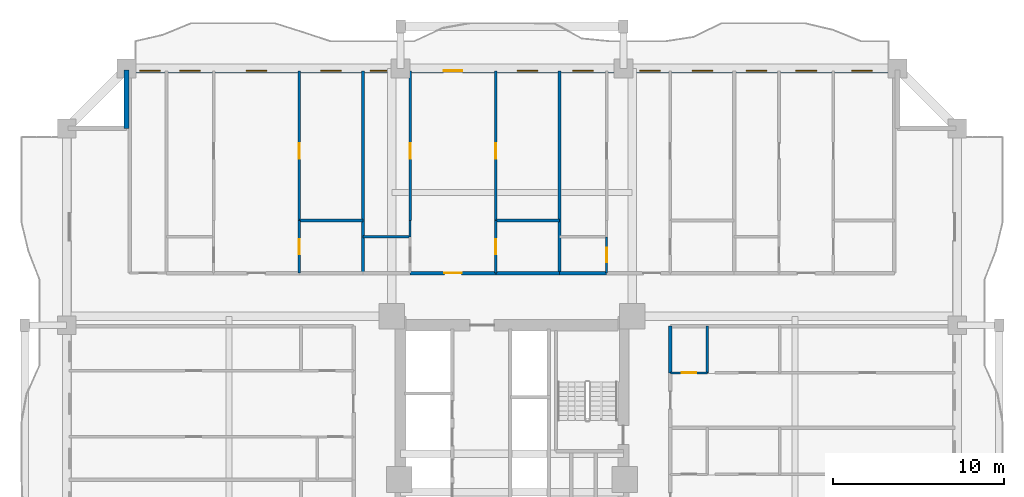
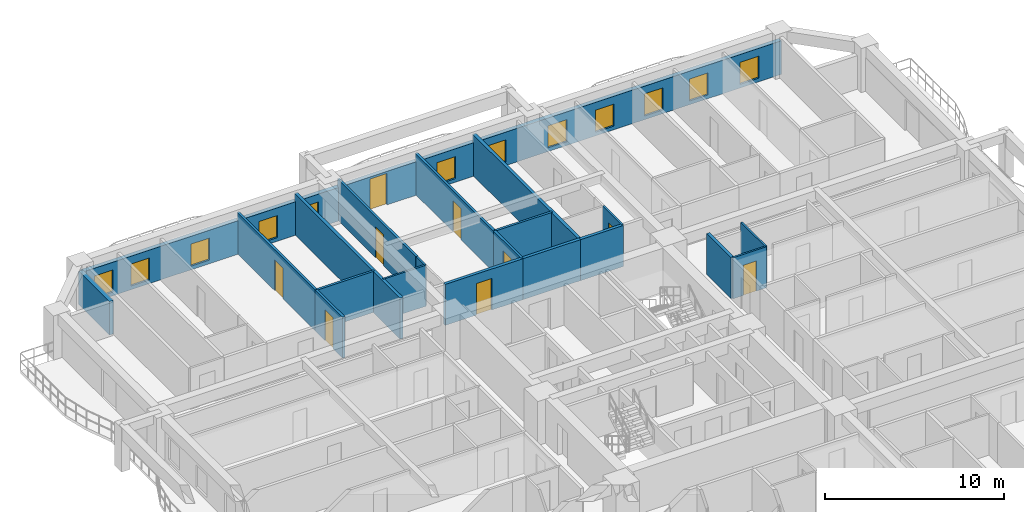
# One storey, part 7 of 16: 20 walls, 12 windows, 9 doors, 21 openings.
"""IFC4 building model written with IfcOpenShell, lengths in metres."""

from ifc_helpers import new_model, si_unit, direction, frame, frame_2d, origin, place, context, subcontext, project, spatial, rectangle, extrude, source, transform, mapped, material, layer, layer_set, type_object, element, fill, save


model = new_model("IFC4")

# Units and contexts
model_context = context("Model", 3, precision=1e-05, world=origin(), true_north=direction((0.0, 1.0)))
body_context = subcontext(model_context, "Body", "Model", "MODEL_VIEW")
ifc_project = project(units=[si_unit("LENGTHUNIT", "METRE"), si_unit("AREAUNIT", "SQUARE_METRE"), si_unit("VOLUMEUNIT", "CUBIC_METRE"), si_unit("PLANEANGLEUNIT", "RADIAN"), si_unit("MASSUNIT", "GRAM", prefix="KILO")], contexts=[model_context])

# Site, building, storey
site_placement = place(None, origin())
site = spatial("IfcSite", under=ifc_project, at=site_placement, CompositionType="ELEMENT")
building_placement = place(site_placement, origin())
building = spatial("IfcBuilding", under=site, at=building_placement, Name="Saelheon Loggia Tower", CompositionType="ELEMENT")
storey_placement = place(building_placement, frame((0.0, 0.0, 37.39990234375)))
storey = spatial("IfcBuildingStorey", under=building, at=storey_placement, Name="L11", CompositionType="ELEMENT", Elevation=37.39990234375)

# Wall, openings, windows, door
ifc_material_1 = material(Name="Architectural Precast Concrete C40/50", Category="concrete")
ifc_layer_1 = layer(ifc_material_1, 0.280029296875)
ifc_layer_set_1 = layer_set([ifc_layer_1], Name="Architectural Precast Concrete C40/50")
wall_type_1 = type_object("IfcWallType", Name="Wall_Ext_Loggia_280", PredefinedType="SOLIDWALL", material=ifc_layer_set_1)
wall_1_placement = place(storey_placement, frame((15.5, 50.860107421875, 0.0), z_axis=(0.0, 0.0, 1.0), x_axis=(1.0, 0.0, 0.0)))
wall_1 = element("IfcWall", 1, at=wall_1_placement, inside=storey, type_object=wall_type_1, Name="L11 North Loggia Inner Wall", PredefinedType="SOLIDWALL", context=body_context, shape_type="SweptSolid", body=[
    extrude(rectangle(XDim=45.0, YDim=0.280029296875, at=frame_2d((22.5, 0.0))), origin(), (0.0, 0.0, 1.0), 2.280029296875),
])
opening_1_placement = place(wall_1_placement, frame((0.760009765625, 0.0, 0.25)))
opening_1 = element("IfcOpeningElement", 2, at=opening_1_placement, cuts=wall_1, Name="Opening WN-03", PredefinedType="OPENING", context=body_context, shape_type="SweptSolid", body=[
    extrude(rectangle(XDim=1.199951171875, YDim=1.5, at=frame_2d((0.60009765625, 0.75))), frame((0.0, 0.152099609375, 0.0), z_axis=(0.0, -1.0, 0.0), x_axis=(1.0, 0.0, 0.0)), (0.0, 0.0, 1.0), 0.303955078125),
])
opening_2_placement = place(wall_1_placement, frame((3.10498046875, 0.0, 0.25)))
opening_2 = element("IfcOpeningElement", 3, at=opening_2_placement, cuts=wall_1, Name="Opening WN-03", PredefinedType="OPENING", context=body_context, shape_type="SweptSolid", body=[
    extrude(rectangle(XDim=1.199951171875, YDim=1.5, at=frame_2d((0.60009765625, 0.75))), frame((0.0, 0.152099609375, 0.0), z_axis=(0.0, -1.0, 0.0), x_axis=(1.0, 0.0, 0.0)), (0.0, 0.0, 1.0), 0.303955078125),
])
opening_3_placement = place(wall_1_placement, frame((6.979736328125, 0.0, 0.25)))
opening_3 = element("IfcOpeningElement", 4, at=opening_3_placement, cuts=wall_1, Name="Opening WN-03", PredefinedType="OPENING", context=body_context, shape_type="SweptSolid", body=[
    extrude(rectangle(XDim=1.199951171875, YDim=1.5, at=frame_2d((0.60009765625, 0.75))), frame((0.0, 0.152099609375, 0.0), z_axis=(0.0, -1.0, 0.0), x_axis=(1.0, 0.0, 0.0)), (0.0, 0.0, 1.0), 0.303955078125),
])
opening_4_placement = place(wall_1_placement, frame((11.3408203125, 0.0, 0.25)))
opening_4 = element("IfcOpeningElement", 5, at=opening_4_placement, cuts=wall_1, Name="Opening WN-03", PredefinedType="OPENING", context=body_context, shape_type="SweptSolid", body=[
    extrude(rectangle(XDim=1.199951171875, YDim=1.5, at=frame_2d((0.60009765625, 0.75))), frame((0.0, 0.152099609375, 0.0), z_axis=(0.0, -1.0, 0.0), x_axis=(1.0, 0.0, 0.0)), (0.0, 0.0, 1.0), 0.303955078125),
])
opening_5_placement = place(wall_1_placement, frame((14.231201171875, 0.0, 0.25)))
opening_5 = element("IfcOpeningElement", 6, at=opening_5_placement, cuts=wall_1, Name="Opening WN-04", PredefinedType="OPENING", context=body_context, shape_type="SweptSolid", body=[
    extrude(rectangle(XDim=0.949951171875, YDim=1.5, at=frame_2d((0.47509765625, 0.75))), frame((0.0, 0.152099609375, 0.0), z_axis=(0.0, -1.0, 0.0), x_axis=(1.0, 0.0, 0.0)), (0.0, 0.0, 1.0), 0.303955078125),
])
opening_6_placement = place(wall_1_placement, frame((18.502197265625, 0.0, 0.0)))
opening_6 = element("IfcOpeningElement", 7, at=opening_6_placement, cuts=wall_1, Name="Opening TD1", PredefinedType="OPENING", context=body_context, shape_type="SweptSolid", body=[
    extrude(rectangle(XDim=1.10009765625, YDim=2.14990234375, at=frame_2d((0.550048828125, 1.074951171875))), frame((0.0, 0.152099609375, 0.0), z_axis=(0.0, -1.0, 0.0), x_axis=(1.0, 0.0, 0.0)), (0.0, 0.0, 1.0), 0.303955078125),
])
opening_7_placement = place(wall_1_placement, frame((22.813232421875, 0.0, 0.25)))
opening_7 = element("IfcOpeningElement", 8, at=opening_7_placement, cuts=wall_1, Name="Opening WN-03", PredefinedType="OPENING", context=body_context, shape_type="SweptSolid", body=[
    extrude(rectangle(XDim=1.199951171875, YDim=1.5, at=frame_2d((0.60009765625, 0.75))), frame((0.0, 0.152099609375, 0.0), z_axis=(0.0, -1.0, 0.0), x_axis=(1.0, 0.0, 0.0)), (0.0, 0.0, 1.0), 0.303955078125),
])
opening_8_placement = place(wall_1_placement, frame((26.049560546875, 0.0, 0.25)))
opening_8 = element("IfcOpeningElement", 9, at=opening_8_placement, cuts=wall_1, Name="Opening WN-03", PredefinedType="OPENING", context=body_context, shape_type="SweptSolid", body=[
    extrude(rectangle(XDim=1.199951171875, YDim=1.5, at=frame_2d((0.60009765625, 0.75))), frame((0.0, 0.152099609375, 0.0), z_axis=(0.0, -1.0, 0.0), x_axis=(1.0, 0.0, 0.0)), (0.0, 0.0, 1.0), 0.303955078125),
])
opening_9_placement = place(wall_1_placement, frame((29.9697265625, 0.0, 0.25)))
opening_9 = element("IfcOpeningElement", 10, at=opening_9_placement, cuts=wall_1, Name="Opening WN-03", PredefinedType="OPENING", context=body_context, shape_type="SweptSolid", body=[
    extrude(rectangle(XDim=1.199951171875, YDim=1.5, at=frame_2d((0.60009765625, 0.75))), frame((0.0, 0.152099609375, 0.0), z_axis=(0.0, -1.0, 0.0), x_axis=(1.0, 0.0, 0.0)), (0.0, 0.0, 1.0), 0.303955078125),
])
opening_10_placement = place(wall_1_placement, frame((33.0107421875, 0.0, 0.25)))
opening_10 = element("IfcOpeningElement", 11, at=opening_10_placement, cuts=wall_1, Name="Opening WN-03", PredefinedType="OPENING", context=body_context, shape_type="SweptSolid", body=[
    extrude(rectangle(XDim=1.199951171875, YDim=1.5, at=frame_2d((0.60009765625, 0.75))), frame((0.0, 0.152099609375, 0.0), z_axis=(0.0, -1.0, 0.0), x_axis=(1.0, 0.0, 0.0)), (0.0, 0.0, 1.0), 0.303955078125),
])
opening_11_placement = place(wall_1_placement, frame((36.180908203125, 0.0, 0.25)))
opening_11 = element("IfcOpeningElement", 12, at=opening_11_placement, cuts=wall_1, Name="Opening WN-03", PredefinedType="OPENING", context=body_context, shape_type="SweptSolid", body=[
    extrude(rectangle(XDim=1.199951171875, YDim=1.5, at=frame_2d((0.60009765625, 0.75))), frame((0.0, 0.152099609375, 0.0), z_axis=(0.0, -1.0, 0.0), x_axis=(1.0, 0.0, 0.0)), (0.0, 0.0, 1.0), 0.303955078125),
])
opening_12_placement = place(wall_1_placement, frame((39.07861328125, 0.0, 0.25)))
opening_12 = element("IfcOpeningElement", 13, at=opening_12_placement, cuts=wall_1, Name="Opening WN-03", PredefinedType="OPENING", context=body_context, shape_type="SweptSolid", body=[
    extrude(rectangle(XDim=1.199951171875, YDim=1.5, at=frame_2d((0.60009765625, 0.75))), frame((0.0, 0.152099609375, 0.0), z_axis=(0.0, -1.0, 0.0), x_axis=(1.0, 0.0, 0.0)), (0.0, 0.0, 1.0), 0.303955078125),
])
opening_13_placement = place(wall_1_placement, frame((42.3388671875, 0.0, 0.25)))
opening_13 = element("IfcOpeningElement", 14, at=opening_13_placement, cuts=wall_1, Name="Opening WN-03", PredefinedType="OPENING", context=body_context, shape_type="SweptSolid", body=[
    extrude(rectangle(XDim=1.199951171875, YDim=1.5, at=frame_2d((0.60009765625, 0.75))), frame((0.0, 0.152099609375, 0.0), z_axis=(0.0, -1.0, 0.0), x_axis=(1.0, 0.0, 0.0)), (0.0, 0.0, 1.0), 0.303955078125),
])
ifc_material_2 = material(Name="Thermal-Break Aluminium and Triple Low-E Glass", Category="aluminium")
window_type_1 = type_object("IfcWindowType", Name="Win_Bedroom_1200x1500", PartitioningType="SINGLE_PANEL", PredefinedType="WINDOW", material=ifc_material_2)
shared_shape_1 = source(origin(), body_context, "Body", "SweptSolid", [
    extrude(rectangle(XDim=1.199951171875, YDim=1.5, at=frame_2d((0.60009765625, 0.75))), frame((0.0, 0.030029296875, 0.0), z_axis=(0.0, -1.0, 0.0), x_axis=(1.0, 0.0, 0.0)), (0.0, 0.0, 1.0), 0.06005859375),
])
window_1_placement = place(opening_1_placement, origin())
window_1 = element("IfcWindow", 15, at=window_1_placement, inside=storey, type_object=window_type_1, Name="L11 N Dwelling Window 1", OverallHeight=1.5, OverallWidth=1.199951171875, PartitioningType="SINGLE_PANEL", PredefinedType="WINDOW", context=body_context, shape_type="MappedRepresentation", body=[
    mapped(shared_shape_1, transform((0.0, 0.0, 0.0), scale=1.0)),
])
fill(opening_1, window_1)
window_2_placement = place(opening_2_placement, origin())
window_2 = element("IfcWindow", 16, at=window_2_placement, inside=storey, type_object=window_type_1, Name="L11 N Dwelling Window 2", OverallHeight=1.5, OverallWidth=1.199951171875, PartitioningType="SINGLE_PANEL", PredefinedType="WINDOW", context=body_context, shape_type="MappedRepresentation", body=[
    mapped(shared_shape_1, transform((0.0, 0.0, 0.0), scale=1.0)),
])
fill(opening_2, window_2)
window_3_placement = place(opening_3_placement, origin())
window_3 = element("IfcWindow", 17, at=window_3_placement, inside=storey, type_object=window_type_1, Name="L11 N Dwelling Window 3", OverallHeight=1.5, OverallWidth=1.199951171875, PartitioningType="SINGLE_PANEL", PredefinedType="WINDOW", context=body_context, shape_type="MappedRepresentation", body=[
    mapped(shared_shape_1, transform((0.0, 0.0, 0.0), scale=1.0)),
])
fill(opening_3, window_3)
window_4_placement = place(opening_4_placement, origin())
window_4 = element("IfcWindow", 18, at=window_4_placement, inside=storey, type_object=window_type_1, Name="L11 N Dwelling Window 4", OverallHeight=1.5, OverallWidth=1.199951171875, PartitioningType="SINGLE_PANEL", PredefinedType="WINDOW", context=body_context, shape_type="MappedRepresentation", body=[
    mapped(shared_shape_1, transform((0.0, 0.0, 0.0), scale=1.0)),
])
fill(opening_4, window_4)
window_5_placement = place(opening_7_placement, origin())
window_5 = element("IfcWindow", 19, at=window_5_placement, inside=storey, type_object=window_type_1, Name="L11 N Dwelling Window 7", OverallHeight=1.5, OverallWidth=1.199951171875, PartitioningType="SINGLE_PANEL", PredefinedType="WINDOW", context=body_context, shape_type="MappedRepresentation", body=[
    mapped(shared_shape_1, transform((0.0, 0.0, 0.0), scale=1.0)),
])
fill(opening_7, window_5)
window_6_placement = place(opening_8_placement, origin())
window_6 = element("IfcWindow", 20, at=window_6_placement, inside=storey, type_object=window_type_1, Name="L11 N Dwelling Window 8", OverallHeight=1.5, OverallWidth=1.199951171875, PartitioningType="SINGLE_PANEL", PredefinedType="WINDOW", context=body_context, shape_type="MappedRepresentation", body=[
    mapped(shared_shape_1, transform((0.0, 0.0, 0.0), scale=1.0)),
])
fill(opening_8, window_6)
window_7_placement = place(opening_9_placement, origin())
window_7 = element("IfcWindow", 21, at=window_7_placement, inside=storey, type_object=window_type_1, Name="L11 N Dwelling Window 9", OverallHeight=1.5, OverallWidth=1.199951171875, PartitioningType="SINGLE_PANEL", PredefinedType="WINDOW", context=body_context, shape_type="MappedRepresentation", body=[
    mapped(shared_shape_1, transform((0.0, 0.0, 0.0), scale=1.0)),
])
fill(opening_9, window_7)
window_8_placement = place(opening_10_placement, origin())
window_8 = element("IfcWindow", 22, at=window_8_placement, inside=storey, type_object=window_type_1, Name="L11 N Dwelling Window 10", OverallHeight=1.5, OverallWidth=1.199951171875, PartitioningType="SINGLE_PANEL", PredefinedType="WINDOW", context=body_context, shape_type="MappedRepresentation", body=[
    mapped(shared_shape_1, transform((0.0, 0.0, 0.0), scale=1.0)),
])
fill(opening_10, window_8)
window_9_placement = place(opening_11_placement, origin())
window_9 = element("IfcWindow", 23, at=window_9_placement, inside=storey, type_object=window_type_1, Name="L11 N Dwelling Window 11", OverallHeight=1.5, OverallWidth=1.199951171875, PartitioningType="SINGLE_PANEL", PredefinedType="WINDOW", context=body_context, shape_type="MappedRepresentation", body=[
    mapped(shared_shape_1, transform((0.0, 0.0, 0.0), scale=1.0)),
])
fill(opening_11, window_9)
window_10_placement = place(opening_12_placement, origin())
window_10 = element("IfcWindow", 24, at=window_10_placement, inside=storey, type_object=window_type_1, Name="L11 N Dwelling Window 12", OverallHeight=1.5, OverallWidth=1.199951171875, PartitioningType="SINGLE_PANEL", PredefinedType="WINDOW", context=body_context, shape_type="MappedRepresentation", body=[
    mapped(shared_shape_1, transform((0.0, 0.0, 0.0), scale=1.0)),
])
fill(opening_12, window_10)
window_11_placement = place(opening_13_placement, origin())
window_11 = element("IfcWindow", 25, at=window_11_placement, inside=storey, type_object=window_type_1, Name="L11 N Dwelling Window 13", OverallHeight=1.5, OverallWidth=1.199951171875, PartitioningType="SINGLE_PANEL", PredefinedType="WINDOW", context=body_context, shape_type="MappedRepresentation", body=[
    mapped(shared_shape_1, transform((0.0, 0.0, 0.0), scale=1.0)),
])
fill(opening_13, window_11)
ifc_material_3 = material(Name="Thermal-Break Aluminium Glazed Door", Category="aluminium")
door_type_1 = type_object("IfcDoorType", Name="Door_Terrace_TD1", OperationType="NOTDEFINED", PredefinedType="DOOR", material=ifc_material_3)
shared_shape_2 = source(origin(), body_context, "Body", "SweptSolid", [
    extrude(rectangle(XDim=1.10009765625, YDim=2.14990234375, at=frame_2d((0.550048828125, 1.074951171875))), frame((0.0, 0.02490234375, 0.0), z_axis=(0.0, -1.0, 0.0), x_axis=(1.0, 0.0, 0.0)), (0.0, 0.0, 1.0), 0.050048828125),
])
door_1_placement = place(opening_6_placement, origin())
door_1 = element("IfcDoor", 26, at=door_1_placement, inside=storey, type_object=door_type_1, Name="L11 N Loggia Access Door", OperationType="SINGLE_SWING_RIGHT", OverallHeight=2.14990234375, OverallWidth=1.10009765625, PredefinedType="DOOR", context=body_context, shape_type="MappedRepresentation", body=[
    mapped(shared_shape_2, transform((0.0, 0.0, 0.0), scale=1.0)),
])
fill(opening_6, door_1)
window_type_2 = type_object("IfcWindowType", Name="Win_Narrow_950x1500", PartitioningType="SINGLE_PANEL", PredefinedType="WINDOW", material=ifc_material_2)
shared_shape_3 = source(origin(), body_context, "Body", "SweptSolid", [
    extrude(rectangle(XDim=0.949951171875, YDim=1.5, at=frame_2d((0.47509765625, 0.75))), frame((0.0, 0.030029296875, 0.0), z_axis=(0.0, -1.0, 0.0), x_axis=(1.0, 0.0, 0.0)), (0.0, 0.0, 1.0), 0.06005859375),
])
window_12_placement = place(opening_5_placement, origin())
window_12 = element("IfcWindow", 27, at=window_12_placement, inside=storey, type_object=window_type_2, Name="L11 N Dwelling Window 5", OverallHeight=1.5, OverallWidth=0.949951171875, PartitioningType="SINGLE_PANEL", PredefinedType="WINDOW", context=body_context, shape_type="MappedRepresentation", body=[
    mapped(shared_shape_3, transform((0.0, 0.0, 0.0), scale=1.0)),
])
fill(opening_5, window_12)

# Walls
wall_2_placement = place(storey_placement, frame((15.5, 47.5, 0.0), z_axis=(0.0, 0.0, 1.0), x_axis=(0.0, 1.0, 0.0)))
element("IfcWall", 28, at=wall_2_placement, inside=storey, type_object=wall_type_1, Name="L11 Corner Notch Precast Wall NW1", PredefinedType="SOLIDWALL", context=body_context, shape_type="SweptSolid", body=[
    extrude(rectangle(XDim=3.419921875, YDim=0.280029296875, at=frame_2d((1.7099609375, 0.0))), origin(), (0.0, 0.0, 1.0), 2.280029296875),
])
ifc_material_4 = material(Name="Lightweight Autoclaved Aerated Concrete Block and Acoustic Gypsum", Category="concrete")
ifc_layer_2 = layer(ifc_material_4, 0.14990234375)
ifc_layer_set_2 = layer_set([ifc_layer_2], Name="Lightweight Autoclaved Aerated Concrete Block and Acoustic Gypsum")
wall_type_2 = type_object("IfcWallType", Name="Wall_Part_150", PredefinedType="PARTITIONING", material=ifc_layer_set_2)
wall_3_placement = place(storey_placement, frame((25.57958984375, 42.1201171875, 0.0), z_axis=(0.0, 0.0, 1.0), x_axis=(1.0, 0.0, 0.0)))
element("IfcWall", 29, at=wall_3_placement, inside=storey, type_object=wall_type_2, Name="L11 N Partition V09", PredefinedType="PARTITIONING", context=body_context, shape_type="SweptSolid", body=[
    extrude(rectangle(XDim=3.72265625, YDim=0.14990234375, at=frame_2d((1.861328125, 0.0))), origin(), (0.0, 0.0, 1.0), 2.7900390625),
])

# Wall, opening, door
wall_4_placement = place(storey_placement, frame((25.57958984375, 39.050048828125, 0.0), z_axis=(0.0, 0.0, 1.0), x_axis=(0.0, 1.0, 0.0)))
wall_4 = element("IfcWall", 30, at=wall_4_placement, inside=storey, type_object=wall_type_2, Name="L11 N Partition U13", PredefinedType="PARTITIONING", context=body_context, shape_type="SweptSolid", body=[
    extrude(rectangle(XDim=3.070068359375, YDim=0.14990234375, at=frame_2d((1.53515625, 0.0))), origin(), (0.0, 0.0, 1.0), 2.7900390625),
])
opening_14_placement = place(wall_4_placement, frame((1.0849609375, 0.0, 0.0)))
opening_14 = element("IfcOpeningElement", 31, at=opening_14_placement, cuts=wall_4, Name="Opening D-IN2", PredefinedType="OPENING", context=body_context, shape_type="SweptSolid", body=[
    extrude(rectangle(XDim=0.89990234375, YDim=2.10009765625, at=frame_2d((0.449951171875, 1.050048828125))), frame((0.0, 0.0869140625, 0.0), z_axis=(0.0, -1.0, 0.0), x_axis=(1.0, 0.0, 0.0)), (0.0, 0.0, 1.0), 0.173828125),
])
ifc_material_5 = material(Name="Engineered Oak Flush Door", Category="timber")
door_type_2 = type_object("IfcDoorType", Name="Door_Int_900", OperationType="NOTDEFINED", PredefinedType="DOOR", material=ifc_material_5)
shared_shape_4 = source(origin(), body_context, "Body", "SweptSolid", [
    extrude(rectangle(XDim=0.89990234375, YDim=2.10009765625, at=frame_2d((0.449951171875, 1.050048828125))), frame((0.0, 0.02490234375, 0.0), z_axis=(0.0, -1.0, 0.0), x_axis=(1.0, 0.0, 0.0)), (0.0, 0.0, 1.0), 0.050048828125),
])
door_2_placement = place(opening_14_placement, origin())
door_2 = element("IfcDoor", 32, at=door_2_placement, inside=storey, type_object=door_type_2, Name="Unit U05 Dressing Closet Door", OperationType="SINGLE_SWING_LEFT", OverallHeight=2.10009765625, OverallWidth=0.89990234375, PredefinedType="DOOR", context=body_context, shape_type="MappedRepresentation", body=[
    mapped(shared_shape_4, transform((0.0, 0.0, 0.0), scale=1.0)),
])
fill(opening_14, door_2)

wall_5_placement = place(storey_placement, frame((25.57958984375, 42.1201171875, 0.0), z_axis=(0.0, 0.0, 1.0), x_axis=(0.0, 1.0, 0.0)))
wall_5 = element("IfcWall", 33, at=wall_5_placement, inside=storey, type_object=wall_type_2, Name="L11 N Partition U14", PredefinedType="PARTITIONING", context=body_context, shape_type="SweptSolid", body=[
    extrude(rectangle(XDim=8.72998046875, YDim=0.14990234375, at=frame_2d((4.364990234375, 0.0))), origin(), (0.0, 0.0, 1.0), 2.7900390625),
])
opening_15_placement = place(wall_5_placement, frame((3.60888671875, 0.0, 0.0)))
opening_15 = element("IfcOpeningElement", 34, at=opening_15_placement, cuts=wall_5, Name="Opening D-IN2", PredefinedType="OPENING", context=body_context, shape_type="SweptSolid", body=[
    extrude(rectangle(XDim=0.89990234375, YDim=2.10009765625, at=frame_2d((0.449951171875, 1.050048828125))), frame((0.0, 0.0869140625, 0.0), z_axis=(0.0, -1.0, 0.0), x_axis=(1.0, 0.0, 0.0)), (0.0, 0.0, 1.0), 0.173828125),
])
door_3_placement = place(opening_15_placement, origin())
door_3 = element("IfcDoor", 35, at=door_3_placement, inside=storey, type_object=door_type_2, Name="Unit U05 Bedroom 1 Door", OperationType="SINGLE_SWING_RIGHT", OverallHeight=2.10009765625, OverallWidth=0.89990234375, PredefinedType="DOOR", context=body_context, shape_type="MappedRepresentation", body=[
    mapped(shared_shape_4, transform((0.0, 0.0, 0.0), scale=1.0)),
])
fill(opening_15, door_3)

# Wall
wall_6_placement = place(storey_placement, frame((37.0517578125, 42.1201171875, 0.0), z_axis=(0.0, 0.0, 1.0), x_axis=(1.0, 0.0, 0.0)))
element("IfcWall", 36, at=wall_6_placement, inside=storey, type_object=wall_type_2, Name="L11 N Partition V20", PredefinedType="PARTITIONING", context=body_context, shape_type="SweptSolid", body=[
    extrude(rectangle(XDim=3.722900390625, YDim=0.14990234375, at=frame_2d((1.861328125, 0.0))), origin(), (0.0, 0.0, 1.0), 2.7900390625),
])

# Wall, opening, door
wall_7_placement = place(storey_placement, frame((32.05224609375, 42.1201171875, 0.0), z_axis=(0.0, 0.0, 1.0), x_axis=(0.0, 1.0, 0.0)))
wall_7 = element("IfcWall", 37, at=wall_7_placement, inside=storey, type_object=wall_type_2, Name="L11 N Partition U23", PredefinedType="PARTITIONING", context=body_context, shape_type="SweptSolid", body=[
    extrude(rectangle(XDim=8.72998046875, YDim=0.14990234375, at=frame_2d((4.364990234375, 0.0))), origin(), (0.0, 0.0, 1.0), 2.7900390625),
])
opening_16_placement = place(wall_7_placement, frame((3.60888671875, 0.0, 0.0)))
opening_16 = element("IfcOpeningElement", 38, at=opening_16_placement, cuts=wall_7, Name="Opening D-IN2", PredefinedType="OPENING", context=body_context, shape_type="SweptSolid", body=[
    extrude(rectangle(XDim=0.89990234375, YDim=2.10009765625, at=frame_2d((0.449951171875, 1.050048828125))), frame((0.0, 0.0869140625, 0.0), z_axis=(0.0, -1.0, 0.0), x_axis=(1.0, 0.0, 0.0)), (0.0, 0.0, 1.0), 0.173828125),
])
door_4_placement = place(opening_16_placement, origin())
door_4 = element("IfcDoor", 39, at=door_4_placement, inside=storey, type_object=door_type_2, Name="Unit U06 Kitchen Door", OperationType="SINGLE_SWING_LEFT", OverallHeight=2.10009765625, OverallWidth=0.89990234375, PredefinedType="DOOR", context=body_context, shape_type="MappedRepresentation", body=[
    mapped(shared_shape_4, transform((0.0, 0.0, 0.0), scale=1.0)),
])
fill(opening_16, door_4)

wall_8_placement = place(storey_placement, frame((37.0517578125, 39.050048828125, 0.0), z_axis=(0.0, 0.0, 1.0), x_axis=(0.0, 1.0, 0.0)))
wall_8 = element("IfcWall", 40, at=wall_8_placement, inside=storey, type_object=wall_type_2, Name="L11 N Partition U24", PredefinedType="PARTITIONING", context=body_context, shape_type="SweptSolid", body=[
    extrude(rectangle(XDim=3.070068359375, YDim=0.14990234375, at=frame_2d((1.53515625, 0.0))), origin(), (0.0, 0.0, 1.0), 2.7900390625),
])
opening_17_placement = place(wall_8_placement, frame((1.0849609375, 0.0, 0.0)))
opening_17 = element("IfcOpeningElement", 41, at=opening_17_placement, cuts=wall_8, Name="Opening D-IN2", PredefinedType="OPENING", context=body_context, shape_type="SweptSolid", body=[
    extrude(rectangle(XDim=0.89990234375, YDim=2.10009765625, at=frame_2d((0.449951171875, 1.050048828125))), frame((0.0, 0.0869140625, 0.0), z_axis=(0.0, -1.0, 0.0), x_axis=(1.0, 0.0, 0.0)), (0.0, 0.0, 1.0), 0.173828125),
])
door_5_placement = place(opening_17_placement, origin())
door_5 = element("IfcDoor", 42, at=door_5_placement, inside=storey, type_object=door_type_2, Name="Unit U06 Dressing Closet Door", OperationType="SINGLE_SWING_RIGHT", OverallHeight=2.10009765625, OverallWidth=0.89990234375, PredefinedType="DOOR", context=body_context, shape_type="MappedRepresentation", body=[
    mapped(shared_shape_4, transform((0.0, 0.0, 0.0), scale=1.0)),
])
fill(opening_17, door_5)

wall_9_placement = place(storey_placement, frame((37.0517578125, 42.1201171875, 0.0), z_axis=(0.0, 0.0, 1.0), x_axis=(0.0, 1.0, 0.0)))
wall_9 = element("IfcWall", 43, at=wall_9_placement, inside=storey, type_object=wall_type_2, Name="L11 N Partition U25", PredefinedType="PARTITIONING", context=body_context, shape_type="SweptSolid", body=[
    extrude(rectangle(XDim=8.72998046875, YDim=0.14990234375, at=frame_2d((4.364990234375, 0.0))), origin(), (0.0, 0.0, 1.0), 2.7900390625),
])
opening_18_placement = place(wall_9_placement, frame((3.60888671875, 0.0, 0.0)))
opening_18 = element("IfcOpeningElement", 44, at=opening_18_placement, cuts=wall_9, Name="Opening D-IN2", PredefinedType="OPENING", context=body_context, shape_type="SweptSolid", body=[
    extrude(rectangle(XDim=0.89990234375, YDim=2.10009765625, at=frame_2d((0.449951171875, 1.050048828125))), frame((0.0, 0.0869140625, 0.0), z_axis=(0.0, -1.0, 0.0), x_axis=(1.0, 0.0, 0.0)), (0.0, 0.0, 1.0), 0.173828125),
])
door_6_placement = place(opening_18_placement, origin())
door_6 = element("IfcDoor", 45, at=door_6_placement, inside=storey, type_object=door_type_2, Name="Unit U06 Bedroom 1 Door", OperationType="SINGLE_SWING_LEFT", OverallHeight=2.10009765625, OverallWidth=0.89990234375, PredefinedType="DOOR", context=body_context, shape_type="MappedRepresentation", body=[
    mapped(shared_shape_4, transform((0.0, 0.0, 0.0), scale=1.0)),
])
fill(opening_18, door_6)

# Wall
ifc_material_6 = material(Name="Double Acoustic Stud and Fireboard Partition", Category="gypsum")
ifc_layer_3 = layer(ifc_material_6, 0.199951171875)
ifc_layer_set_3 = layer_set([ifc_layer_3], Name="Double Acoustic Stud and Fireboard Partition")
wall_type_3 = type_object("IfcWallType", Name="Wall_Party_200", PredefinedType="PARTITIONING", material=ifc_layer_set_3)
wall_10_placement = place(storey_placement, frame((29.30224609375, 39.050048828125, 0.0), z_axis=(0.0, 0.0, 1.0), x_axis=(0.0, 1.0, 0.0)))
element("IfcWall", 46, at=wall_10_placement, inside=storey, type_object=wall_type_3, Name="L11 N Partition U15", PredefinedType="PARTITIONING", context=body_context, shape_type="SweptSolid", body=[
    extrude(rectangle(XDim=11.800048828125, YDim=0.199951171875, at=frame_2d((5.89990234375, 0.0))), origin(), (0.0, 0.0, 1.0), 2.7900390625),
])

# Wall, opening, door
wall_11_placement = place(storey_placement, frame((32.05224609375, 39.050048828125, 0.0), z_axis=(0.0, 0.0, 1.0), x_axis=(1.0, 0.0, 0.0)))
wall_11 = element("IfcWall", 47, at=wall_11_placement, inside=storey, type_object=wall_type_3, Name="L11 N Partition V17", PredefinedType="PARTITIONING", context=body_context, shape_type="SweptSolid", body=[
    extrude(rectangle(XDim=4.99951171875, YDim=0.199951171875, at=frame_2d((2.499755859375, 0.0))), origin(), (0.0, 0.0, 1.0), 2.7900390625),
])
opening_19_placement = place(wall_11_placement, frame((1.999755859375, 0.0, 0.0)))
opening_19 = element("IfcOpeningElement", 48, at=opening_19_placement, cuts=wall_11, Name="Opening D-FD1", PredefinedType="OPENING", context=body_context, shape_type="SweptSolid", body=[
    extrude(rectangle(XDim=1.0, YDim=2.14990234375, at=frame_2d((0.5, 1.074951171875))), frame((0.0, 0.112060546875, 0.0), z_axis=(0.0, -1.0, 0.0), x_axis=(1.0, 0.0, 0.0)), (0.0, 0.0, 1.0), 0.223876953125),
])
ifc_material_7 = material(Name="Fire-Rated Engineered Timber Entrance Door", Category="wood")
door_type_3 = type_object("IfcDoorType", Name="Door_Flat_FD30S", OperationType="NOTDEFINED", PredefinedType="DOOR", material=ifc_material_7)
shared_shape_5 = source(origin(), body_context, "Body", "SweptSolid", [
    extrude(rectangle(XDim=1.0, YDim=2.14990234375, at=frame_2d((0.5, 1.074951171875))), frame((0.0, 0.02490234375, 0.0), z_axis=(0.0, -1.0, 0.0), x_axis=(1.0, 0.0, 0.0)), (0.0, 0.0, 1.0), 0.050048828125),
])
door_7_placement = place(opening_19_placement, origin())
door_7 = element("IfcDoor", 49, at=door_7_placement, inside=storey, type_object=door_type_3, Name="Unit U06 Entrance Door", OperationType="SINGLE_SWING_LEFT", OverallHeight=2.14990234375, OverallWidth=1.0, PredefinedType="DOOR", context=body_context, shape_type="MappedRepresentation", body=[
    mapped(shared_shape_5, transform((0.0, 0.0, 0.0), scale=1.0)),
])
fill(opening_19, door_7)

# Walls
wall_12_placement = place(storey_placement, frame((37.0517578125, 39.050048828125, 0.0), z_axis=(0.0, 0.0, 1.0), x_axis=(1.0, 0.0, 0.0)))
element("IfcWall", 50, at=wall_12_placement, inside=storey, type_object=wall_type_3, Name="L11 N Partition V18", PredefinedType="PARTITIONING", context=body_context, shape_type="SweptSolid", body=[
    extrude(rectangle(XDim=3.722900390625, YDim=0.199951171875, at=frame_2d((1.861328125, 0.0))), origin(), (0.0, 0.0, 1.0), 2.7900390625),
])
wall_13_placement = place(storey_placement, frame((40.774658203125, 39.050048828125, 0.0), z_axis=(0.0, 0.0, 1.0), x_axis=(0.0, 1.0, 0.0)))
element("IfcWall", 51, at=wall_13_placement, inside=storey, type_object=wall_type_3, Name="L11 N Partition U26", PredefinedType="PARTITIONING", context=body_context, shape_type="SweptSolid", body=[
    extrude(rectangle(XDim=11.800048828125, YDim=0.199951171875, at=frame_2d((5.89990234375, 0.0))), origin(), (0.0, 0.0, 1.0), 2.7900390625),
])
wall_14_placement = place(storey_placement, frame((40.774658203125, 39.050048828125, 0.0), z_axis=(0.0, 0.0, 1.0), x_axis=(1.0, 0.0, 0.0)))
element("IfcWall", 52, at=wall_14_placement, inside=storey, type_object=wall_type_3, Name="L11 N Partition V27", PredefinedType="PARTITIONING", context=body_context, shape_type="SweptSolid", body=[
    extrude(rectangle(XDim=2.75, YDim=0.199951171875, at=frame_2d((1.375, 0.0))), origin(), (0.0, 0.0, 1.0), 2.7900390625),
])
wall_15_placement = place(storey_placement, frame((47.25, 33.22509765625, 0.0), z_axis=(0.0, 0.0, 1.0), x_axis=(0.0, 1.0, 0.0)))
element("IfcWall", 53, at=wall_15_placement, inside=storey, type_object=wall_type_3, Name="L11 E Partition V20", PredefinedType="PARTITIONING", context=body_context, shape_type="SweptSolid", body=[
    extrude(rectangle(XDim=2.724853515625, YDim=0.199951171875, at=frame_2d((1.3623046875, 0.0))), origin(), (0.0, 0.0, 1.0), 2.7900390625),
])
ifc_material_8 = material(Name="Moisture-Resistant Cement Board Partition", Category="gypsum")
ifc_layer_4 = layer(ifc_material_8, 0.1201171875)
ifc_layer_set_4 = layer_set([ifc_layer_4], Name="Moisture-Resistant Cement Board Partition")
wall_type_4 = type_object("IfcWallType", Name="Wall_WetPart_120", PredefinedType="PARTITIONING", material=ifc_layer_set_4)
wall_16_placement = place(storey_placement, frame((29.30224609375, 41.169921875, 0.0), z_axis=(0.0, 0.0, 1.0), x_axis=(1.0, 0.0, 0.0)))
element("IfcWall", 54, at=wall_16_placement, inside=storey, type_object=wall_type_4, Name="L11 N Partition V19", PredefinedType="PARTITIONING", context=body_context, shape_type="SweptSolid", body=[
    extrude(rectangle(XDim=2.75, YDim=0.1201171875, at=frame_2d((1.375, 0.0))), origin(), (0.0, 0.0, 1.0), 2.7900390625),
])
wall_17_placement = place(storey_placement, frame((32.05224609375, 41.169921875, 0.0), z_axis=(0.0, 0.0, 1.0), x_axis=(0.0, 1.0, 0.0)))
element("IfcWall", 55, at=wall_17_placement, inside=storey, type_object=wall_type_4, Name="L11 N Partition U22", PredefinedType="PARTITIONING", context=body_context, shape_type="SweptSolid", body=[
    extrude(rectangle(XDim=0.9501953125, YDim=0.1201171875, at=frame_2d((0.47509765625, 0.0))), origin(), (0.0, 0.0, 1.0), 2.7900390625),
])

# Wall, opening, door
wall_18_placement = place(storey_placement, frame((43.524658203125, 39.050048828125, 0.0), z_axis=(0.0, 0.0, 1.0), x_axis=(0.0, 1.0, 0.0)))
wall_18 = element("IfcWall", 56, at=wall_18_placement, inside=storey, type_object=wall_type_4, Name="L11 N Partition U32", PredefinedType="PARTITIONING", context=body_context, shape_type="SweptSolid", body=[
    extrude(rectangle(XDim=2.119873046875, YDim=0.1201171875, at=frame_2d((1.06005859375, 0.0))), origin(), (0.0, 0.0, 1.0), 2.7900390625),
])
opening_20_placement = place(wall_18_placement, frame((0.635009765625, 0.0, 0.0)))
opening_20 = element("IfcOpeningElement", 57, at=opening_20_placement, cuts=wall_18, Name="Opening D-BT1", PredefinedType="OPENING", context=body_context, shape_type="SweptSolid", body=[
    extrude(rectangle(XDim=0.85009765625, YDim=2.050048828125, at=frame_2d((0.425048828125, 1.02490234375))), frame((0.0, 0.072021484375, 0.0), z_axis=(0.0, -1.0, 0.0), x_axis=(1.0, 0.0, 0.0)), (0.0, 0.0, 1.0), 0.14404296875),
])
ifc_material_9 = material(Name="Moisture-Resistant Laminate Timber Door", Category="wood")
door_type_4 = type_object("IfcDoorType", Name="Door_Bath_850", OperationType="NOTDEFINED", PredefinedType="DOOR", material=ifc_material_9)
shared_shape_6 = source(origin(), body_context, "Body", "SweptSolid", [
    extrude(rectangle(XDim=0.85009765625, YDim=2.050048828125, at=frame_2d((0.425048828125, 1.02490234375))), frame((0.0, 0.02490234375, 0.0), z_axis=(0.0, -1.0, 0.0), x_axis=(1.0, 0.0, 0.0)), (0.0, 0.0, 1.0), 0.050048828125),
])
door_8_placement = place(opening_20_placement, origin())
door_8 = element("IfcDoor", 58, at=door_8_placement, inside=storey, type_object=door_type_4, Name="Unit U07 Bathroom Door", OperationType="SINGLE_SWING_LEFT", OverallHeight=2.050048828125, OverallWidth=0.85009765625, PredefinedType="DOOR", context=body_context, shape_type="MappedRepresentation", body=[
    mapped(shared_shape_6, transform((0.0, 0.0, 0.0), scale=1.0)),
])
fill(opening_20, door_8)

wall_19_placement = place(storey_placement, frame((47.25, 33.22509765625, 0.0), z_axis=(0.0, 0.0, 1.0), x_axis=(1.0, 0.0, 0.0)))
wall_19 = element("IfcWall", 59, at=wall_19_placement, inside=storey, type_object=wall_type_4, Name="L11 E Partition U21", PredefinedType="PARTITIONING", context=body_context, shape_type="SweptSolid", body=[
    extrude(rectangle(XDim=2.14990234375, YDim=0.1201171875, at=frame_2d((1.074951171875, 0.0))), origin(), (0.0, 0.0, 1.0), 2.7900390625),
])
opening_21_placement = place(wall_19_placement, frame((0.64990234375, 0.0, 0.0)))
opening_21 = element("IfcOpeningElement", 60, at=opening_21_placement, cuts=wall_19, Name="Opening D-BT1", PredefinedType="OPENING", context=body_context, shape_type="SweptSolid", body=[
    extrude(rectangle(XDim=0.85009765625, YDim=2.050048828125, at=frame_2d((0.425048828125, 1.02490234375))), frame((0.0, 0.072021484375, 0.0), z_axis=(0.0, -1.0, 0.0), x_axis=(1.0, 0.0, 0.0)), (0.0, 0.0, 1.0), 0.14404296875),
])
door_9_placement = place(opening_21_placement, origin())
door_9 = element("IfcDoor", 61, at=door_9_placement, inside=storey, type_object=door_type_4, Name="Unit U13 Bathroom Door", OperationType="SINGLE_SWING_LEFT", OverallHeight=2.050048828125, OverallWidth=0.85009765625, PredefinedType="DOOR", context=body_context, shape_type="MappedRepresentation", body=[
    mapped(shared_shape_6, transform((0.0, 0.0, 0.0), scale=1.0)),
])
fill(opening_21, door_9)

# Wall
wall_20_placement = place(storey_placement, frame((49.39990234375, 33.22509765625, 0.0), z_axis=(0.0, 0.0, 1.0), x_axis=(0.0, 1.0, 0.0)))
element("IfcWall", 62, at=wall_20_placement, inside=storey, type_object=wall_type_4, Name="L11 E Partition V22", PredefinedType="PARTITIONING", context=body_context, shape_type="SweptSolid", body=[
    extrude(rectangle(XDim=2.724853515625, YDim=0.1201171875, at=frame_2d((1.3623046875, 0.0))), origin(), (0.0, 0.0, 1.0), 2.7900390625),
])

save(model, "model.ifc")
